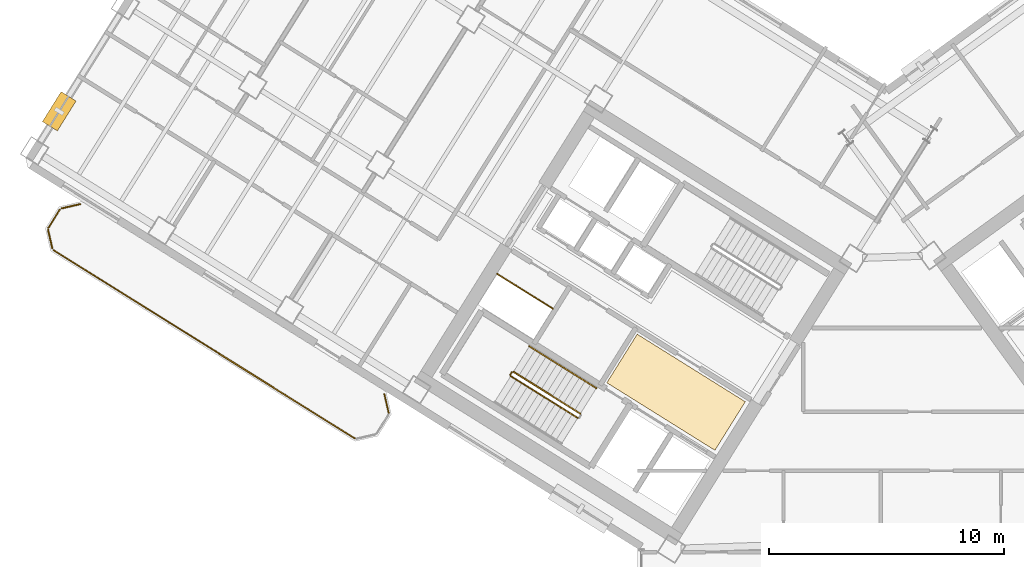
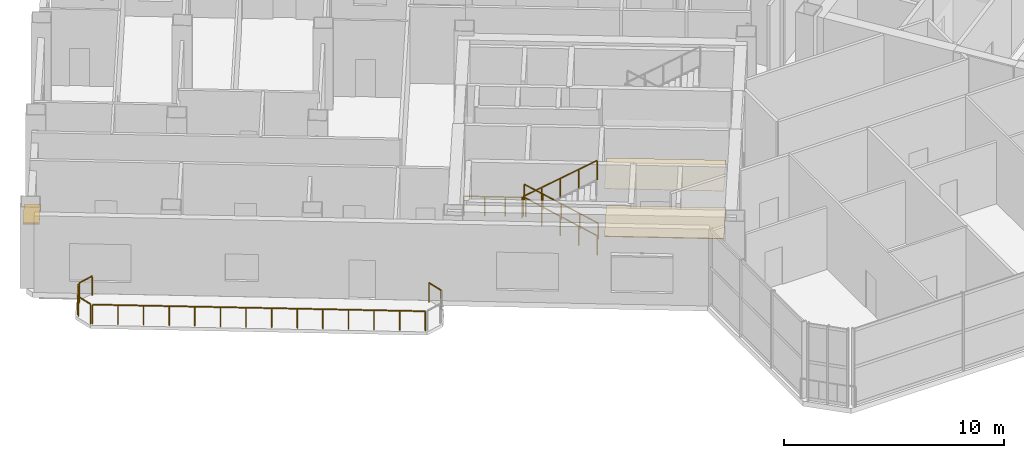
# One storey, part 18 of 21: 11 railings, 2 coverings, 1 shading device.
"""IFC4 building model written with IfcOpenShell, lengths in metres."""

import ifcopenshell
import ifcopenshell.guid

model = None  # the IFC model being written
_history = None  # IfcOwnerHistory: only IFC2X3 demands one
_inside = {}  # id of a spatial element -> (the spatial element, [elements in it])
_under = {}  # id of a project, library or spatial element -> (it, [spatial elements below it])
_declared = {}  # id of a project -> (the project, [libraries it declares])
_typed = {}  # id of a type object -> (the type object, [elements of that type])
_made_of = {}  # id of a material, layer set ... -> (it, [elements and type objects made of it])


def new_model(schema):
    """Start an empty IFC model of exactly this schema.

    Asked for "IFC4X3", IfcOpenShell would pick the latest addendum, in which some entities
    have other attributes; the version numbers below select the first issue.
    IFC2X3 requires an IfcOwnerHistory on every rooted entity: one is made here for all.
    """
    global model, _history
    if schema == "IFC4X3":
        model = ifcopenshell.file(schema_version=(4, 3, 0, 0))
    else:
        model = ifcopenshell.file(schema=schema)
    _inside.clear()
    _under.clear()
    _declared.clear()
    _typed.clear()
    _made_of.clear()
    _history = None
    if model.schema == "IFC2X3":
        org = make("IfcOrganization", Name="unknown")
        user = make(
            "IfcPersonAndOrganization",
            ThePerson=make("IfcPerson", FamilyName="unknown"),
            TheOrganization=org,
        )
        app = make(
            "IfcApplication",
            ApplicationDeveloper=org,
            Version="unknown",
            ApplicationFullName="unknown",
            ApplicationIdentifier="unknown",
        )
        _history = make(
            "IfcOwnerHistory",
            OwningUser=user,
            OwningApplication=app,
            ChangeAction="ADDED",
            CreationDate=0,
        )
    return model


def make(cls, **values):
    """One entity of the class cls with the attributes given. An attribute that is None is left unset."""
    return model.create_entity(
        cls, **{name: value for name, value in values.items() if value is not None}
    )


def rooted(cls, **values):
    """An entity with a GlobalId (a new one), such as an element, a storey or a relation."""
    return make(cls, GlobalId=ifcopenshell.guid.new(), OwnerHistory=_history, **values)


def si_unit(unit_type, name, prefix=None):
    """IfcSIUnit, for example si_unit("LENGTHUNIT", "METRE", prefix="MILLI")."""
    return make("IfcSIUnit", UnitType=unit_type, Prefix=prefix, Name=name)


def assignment(units):
    """IfcUnitAssignment: the units of a project."""
    return None if units is None else make("IfcUnitAssignment", Units=units)


def point(xyz):
    """IfcCartesianPoint."""
    return None if xyz is None else make("IfcCartesianPoint", Coordinates=xyz)


def direction(xyz):
    """IfcDirection."""
    return None if xyz is None else make("IfcDirection", DirectionRatios=xyz)


def frame(location, z_axis=None, x_axis=None):
    """IfcAxis2Placement3D, a coordinate frame: its origin and axes. An axis left out is left unset."""
    return make(
        "IfcAxis2Placement3D",
        Location=point(location),
        Axis=direction(z_axis),
        RefDirection=direction(x_axis),
    )


def frame_2d(location, x_axis=None):
    """IfcAxis2Placement2D, a coordinate frame in the plane: its origin and x axis."""
    return make(
        "IfcAxis2Placement2D", Location=point(location), RefDirection=direction(x_axis)
    )


def origin():
    """The frame at (0, 0, 0) with its axes left unset."""
    return frame((0.0, 0.0, 0.0))


def origin_2d():
    """The frame at (0, 0) in the plane with its x axis left unset."""
    return frame_2d((0.0, 0.0))


def place(relative_to, where):
    """IfcLocalPlacement: puts the frame where relative to a parent placement (None: the world)."""
    return make(
        "IfcLocalPlacement", PlacementRelTo=relative_to, RelativePlacement=where
    )


def context(
    kind, dimensions, precision=None, world=None, true_north=None, identifier=None
):
    """IfcGeometricRepresentationContext, for example the 3D "Model" context."""
    return make(
        "IfcGeometricRepresentationContext",
        ContextIdentifier=identifier,
        ContextType=kind,
        CoordinateSpaceDimension=dimensions,
        Precision=precision,
        WorldCoordinateSystem=world,
        TrueNorth=true_north,
    )


def subcontext(parent, identifier, kind, view, scale=None):
    """IfcGeometricRepresentationSubContext, for example "Body" below "Model"."""
    return make(
        "IfcGeometricRepresentationSubContext",
        ContextIdentifier=identifier,
        ContextType=kind,
        ParentContext=parent,
        TargetScale=scale,
        TargetView=view,
    )


def project(units=None, contexts=None):
    """IfcProject with its units and contexts."""
    return rooted(
        "IfcProject",
        Name="project",
        RepresentationContexts=contexts,
        UnitsInContext=assignment(units),
    )


def spatial(cls, under=None, at=None, **own):
    """A site, building, storey or space (cls), placed at a placement, below another one or the project."""
    s = rooted(cls, ObjectPlacement=at, **own)
    if under is not None:
        _under.setdefault(under.id(), (under, []))[1].append(s)
    return s


def polyline(points):
    """IfcPolyline through the points."""
    return make("IfcPolyline", Points=[point(p) for p in points])


def profile(cls, at=None, kind="AREA", **sizes):
    """A parametric profile (cls). Its sizes go by their IFC names, for example OverallWidth=200.0."""
    return make(cls, ProfileType=kind, Position=at, **sizes)


def rectangle(**sizes):
    """IfcRectangleProfileDef."""
    return profile("IfcRectangleProfileDef", **sizes)


def outline(outer, holes=None, kind="AREA"):
    """IfcArbitraryClosedProfileDef: a profile drawn as a closed curve; with holes, ...WithVoids."""
    if holes is None:
        return make("IfcArbitraryClosedProfileDef", ProfileType=kind, OuterCurve=outer)
    return make(
        "IfcArbitraryProfileDefWithVoids",
        ProfileType=kind,
        OuterCurve=outer,
        InnerCurves=holes,
    )


def extrude(swept, where, along, depth):
    """IfcExtrudedAreaSolid: the profile swept, set in the frame where, extruded along a direction by depth."""
    return make(
        "IfcExtrudedAreaSolid",
        SweptArea=swept,
        Position=where,
        ExtrudedDirection=direction(along),
        Depth=depth,
    )


def shape(context_of_items, identifier, shape_type, items):
    """IfcShapeRepresentation: the items that make up one representation, for example the "Body"."""
    return make(
        "IfcShapeRepresentation",
        ContextOfItems=context_of_items,
        RepresentationIdentifier=identifier,
        RepresentationType=shape_type,
        Items=items,
    )


def source(mapping_origin, context_of_items, identifier, shape_type, items):
    """IfcRepresentationMap: a shape defined once, which mapped items show again and again."""
    return make(
        "IfcRepresentationMap",
        MappingOrigin=mapping_origin,
        MappedRepresentation=shape(context_of_items, identifier, shape_type, items),
    )


def transform(
    local_origin,
    x_axis=None,
    y_axis=None,
    z_axis=None,
    scale=None,
    scale2=None,
    scale3=None,
    uniform=True,
):
    """IfcCartesianTransformationOperator3D, or its non-uniform kind. x_axis, y_axis, z_axis: its Axis1, 2, 3."""
    if uniform:
        return make(
            "IfcCartesianTransformationOperator3D",
            Axis1=direction(x_axis),
            Axis2=direction(y_axis),
            LocalOrigin=point(local_origin),
            Scale=scale,
            Axis3=direction(z_axis),
        )
    return make(
        "IfcCartesianTransformationOperator3DnonUniform",
        Axis1=direction(x_axis),
        Axis2=direction(y_axis),
        LocalOrigin=point(local_origin),
        Scale=scale,
        Axis3=direction(z_axis),
        Scale2=scale2,
        Scale3=scale3,
    )


def mapped(mapping_source, mapping_target):
    """IfcMappedItem: shows the shape of a source again, moved by a transform."""
    return make(
        "IfcMappedItem", MappingSource=mapping_source, MappingTarget=mapping_target
    )


def material(Name=None, Category=None):
    """IfcMaterial."""
    return make("IfcMaterial", Name=Name, Category=Category)


def layer(
    of_material, thickness, ventilated=None, Name=None, Category=None, Priority=None
):
    """IfcMaterialLayer: one layer of a wall or slab, of a material (None: an air gap)."""
    return make(
        "IfcMaterialLayer",
        Material=of_material,
        LayerThickness=thickness,
        IsVentilated=ventilated,
        Name=Name,
        Category=Category,
        Priority=Priority,
    )


def layer_set(layers, Name=None):
    """IfcMaterialLayerSet."""
    return make("IfcMaterialLayerSet", MaterialLayers=layers, LayerSetName=Name)


def made_of(thing, what):
    """Note that an element or type object is made of a material, layer set ...; save() writes the relation."""
    if what is not None:
        _made_of.setdefault(what.id(), (what, []))[1].append(thing)
    return thing


def type_object(cls, material=None, **own):
    """A type object (cls), such as IfcWallType, which elements share."""
    return made_of(rooted(cls, **own), material)


def element(
    cls,
    number,
    at=None,
    inside=None,
    cuts=None,
    type_object=None,
    material=None,
    context=None,
    identifier="Body",
    shape_type=None,
    held_by="IfcProductDefinitionShape",
    body=None,
    shapes=None,
    **own,
):
    """One element of the class cls, such as IfcWall. Its Tag is "e" and its number.

    at: its placement. inside: the storey or other place that contains it. cuts: it is an
    opening in that element (IfcRelVoidsElement). A single representation is given by context,
    identifier, shape_type and body (its items); several are given by shapes. held_by: the class
    of the entity that holds the representations. save() writes the other relations.
    """
    e = rooted(cls, Tag="e%d" % number, ObjectPlacement=at, **own)
    if body is not None:
        shapes = [shape(context, identifier, shape_type, body)]
    if shapes is not None:
        e.Representation = make(held_by, Representations=shapes)
    if inside is not None:
        _inside.setdefault(inside.id(), (inside, []))[1].append(e)
    if cuts is not None:
        rooted(
            "IfcRelVoidsElement", RelatingBuildingElement=cuts, RelatedOpeningElement=e
        )
    if type_object is not None:
        _typed.setdefault(type_object.id(), (type_object, []))[1].append(e)
    return made_of(e, material)


def aggregate(whole, parts):
    """IfcRelAggregates: a whole, such as a stair, and the parts it consists of."""
    return rooted("IfcRelAggregates", RelatingObject=whole, RelatedObjects=parts)


def save(model, path):
    """Write the relations noted so far, then the file.

    IfcRelAggregates (storeys below a building ...), IfcRelContainedInSpatialStructure (elements
    in a storey), IfcRelDefinesByType, IfcRelAssociatesMaterial and IfcRelDeclares: one each for
    every whole, place, type object, material and project.
    """
    for whole, parts in _under.values():
        aggregate(whole, parts)
    for where, things in _inside.values():
        rooted(
            "IfcRelContainedInSpatialStructure",
            RelatedElements=things,
            RelatingStructure=where,
        )
    for kind, things in _typed.values():
        rooted("IfcRelDefinesByType", RelatedObjects=things, RelatingType=kind)
    for what, things in _made_of.values():
        rooted("IfcRelAssociatesMaterial", RelatedObjects=things, RelatingMaterial=what)
    for by, libraries in _declared.values():
        rooted("IfcRelDeclares", RelatingContext=by, RelatedDefinitions=libraries)
    model.write(path)


model = new_model("IFC4")

# Units and contexts
model_context = context("Model", 3, precision=1e-05, world=origin(), true_north=direction((0.0, 1.0)))
body_context = subcontext(model_context, "Body", "Model", "MODEL_VIEW")
ifc_project = project(units=[si_unit("LENGTHUNIT", "METRE"), si_unit("AREAUNIT", "SQUARE_METRE"), si_unit("VOLUMEUNIT", "CUBIC_METRE"), si_unit("PLANEANGLEUNIT", "RADIAN"), si_unit("MASSUNIT", "GRAM", prefix="KILO")], contexts=[model_context])

# Site, building, storey
site_placement = place(None, origin())
site = spatial("IfcSite", under=ifc_project, at=site_placement, CompositionType="ELEMENT")
building_placement = place(site_placement, origin())
building = spatial("IfcBuilding", under=site, at=building_placement, Name="Tlacorven Tower", CompositionType="ELEMENT")
storey_placement = place(building_placement, frame((0.0, 0.0, 100.800048828125)))
storey = spatial("IfcBuildingStorey", under=building, at=storey_placement, Name="L25", CompositionType="ELEMENT", Elevation=100.800048828125)

# Coverings
ifc_material_1 = material(Name="Acoustic mineral-fibre ceiling")
ifc_layer_1 = layer(ifc_material_1, 0.02490234375)
ifc_layer_set_1 = layer_set([ifc_layer_1], Name="Acoustic mineral-fibre ceiling")
covering_type_1 = type_object("IfcCoveringType", Name="CV-CLG-ACST", PredefinedType="CEILING", material=ifc_layer_set_1)
covering_1_placement = place(storey_placement, frame((0.0, 0.0, 2.64990234375)))
element("IfcCovering", 1, at=covering_1_placement, inside=storey, type_object=covering_type_1, Name="L25 Acoustic Suspended Ceiling 1", PredefinedType="CEILING", context=body_context, shape_type="SweptSolid", body=[
    extrude(outline(polyline([(36.185302734375, 18.35595703125), (34.892333984375, 16.286865234375), (30.287353515625, 19.164306640625), (31.580322265625, 21.2333984375), (36.185302734375, 18.35595703125)])), origin(), (0.0, 0.0, 1.0), 0.025146484375),
])
ifc_material_2 = material(Name="Terrazzo and ceramic flooring")
ifc_layer_2 = layer(ifc_material_2, 0.0400390625)
ifc_layer_set_2 = layer_set([ifc_layer_2], Name="Terrazzo and ceramic flooring")
covering_type_2 = type_object("IfcCoveringType", Name="CV-FLR-TERZ", PredefinedType="FLOORING", material=ifc_layer_set_2)
covering_2_placement = place(storey_placement, origin())
element("IfcCovering", 2, at=covering_2_placement, inside=storey, type_object=covering_type_2, Name="L25 Terrazzo Floor Finish 1", PredefinedType="FLOORING", context=body_context, shape_type="SweptSolid", body=[
    extrude(outline(polyline([(36.185302734375, 18.35595703125), (34.892333984375, 16.286865234375), (30.287353515625, 19.164306640625), (31.580322265625, 21.2333984375), (36.185302734375, 18.35595703125)])), origin(), (0.0, 0.0, 1.0), 0.0400390625),
])

# Railings
ifc_material_3 = material(Name="Aluminium and painted steel balustrade", Category="steel")
railing_type_1 = type_object("IfcRailingType", Name="RL-GRD-1100", PredefinedType="GUARDRAIL", material=ifc_material_3)
shared_shape_1 = source(origin(), body_context, "Body", "SweptSolid", [
    extrude(rectangle(XDim=0.048095703125, YDim=0.048095703125, at=origin_2d()), frame((0.0, 0.0, 1.076171875), z_axis=(-0.848091358275, 0.529850024081, 0.0), x_axis=(-0.529850024081, -0.848091358275, 0.0)), (0.0, 0.0, 1.0), 2.800048828125),
    extrude(rectangle(XDim=0.0419921875, YDim=0.0419921875, at=origin_2d()), origin(), (0.0, 0.0, 1.0), 1.052001953125),
    extrude(rectangle(XDim=0.0419921875, YDim=0.0419921875, at=origin_2d()), frame((-0.79150390625, 0.49462890625, 0.0)), (0.0, 0.0, 1.0), 1.052001953125),
    extrude(rectangle(XDim=0.0419921875, YDim=0.0419921875, at=origin_2d()), frame((-1.583251953125, 0.989013671875, 0.0)), (0.0, 0.0, 1.0), 1.052001953125),
    extrude(rectangle(XDim=0.0419921875, YDim=0.0419921875, at=origin_2d()), frame((-2.374755859375, 1.483642578125, 0.0)), (0.0, 0.0, 1.0), 1.052001953125),
])
railing_1_placement = place(storey_placement, frame((27.9912109375, 22.32080078125, 0.0)))
element("IfcRailing", 3, at=railing_1_placement, inside=storey, type_object=railing_type_1, Name="L25 Electrical Riser W Shaft Guard 1", PredefinedType="GUARDRAIL", context=body_context, shape_type="MappedRepresentation", body=[
    mapped(shared_shape_1, transform((0.0, 0.0, 0.0), scale=1.0)),
])
railing_type_2 = type_object("IfcRailingType", Name="RL-BAL-1100", PredefinedType="BALUSTRADE", material=ifc_material_3)
shared_shape_2 = source(origin(), body_context, "Body", "SweptSolid", [
    extrude(rectangle(XDim=0.048095703125, YDim=0.048095703125, at=origin_2d()), frame((0.0, 0.0, 1.076171875), z_axis=(0.225058334816, -0.974345290916, 0.0), x_axis=(0.974345290916, 0.225058334816, 0.0)), (0.0, 0.0, 1.0), 0.80712890625),
    extrude(rectangle(XDim=0.0419921875, YDim=0.0419921875, at=origin_2d()), origin(), (0.0, 0.0, 1.0), 1.052001953125),
    extrude(rectangle(XDim=0.0419921875, YDim=0.0419921875, at=origin_2d()), frame((0.181640625, -0.786376953125, 0.0)), (0.0, 0.0, 1.0), 1.052001953125),
])
railing_2_placement = place(storey_placement, frame((20.809814453125, 18.671142578125, 0.0)))
element("IfcRailing", 4, at=railing_2_placement, inside=storey, type_object=railing_type_2, Name="BAL-L25-W-OUT Guard Railing 1", PredefinedType="BALUSTRADE", context=body_context, shape_type="MappedRepresentation", body=[
    mapped(shared_shape_2, transform((0.0, 0.0, 0.0), scale=1.0)),
])
shared_shape_3 = source(origin(), body_context, "Body", "SweptSolid", [
    extrude(rectangle(XDim=0.048095703125, YDim=0.048095703125, at=origin_2d()), frame((0.0, 0.0, 1.076171875), z_axis=(-0.225058334816, 0.974345290916, 0.0), x_axis=(-0.974345290916, -0.225058334816, 0.0)), (0.0, 0.0, 1.0), 0.80712890625),
    extrude(rectangle(XDim=0.0419921875, YDim=0.0419921875, at=origin_2d()), origin(), (0.0, 0.0, 1.0), 1.052001953125),
    extrude(rectangle(XDim=0.0419921875, YDim=0.0419921875, at=origin_2d()), frame((-0.181640625, 0.786376953125, 0.0)), (0.0, 0.0, 1.0), 1.052001953125),
])
railing_3_placement = place(storey_placement, frame((6.66650390625, 24.88623046875, 0.0)))
element("IfcRailing", 5, at=railing_3_placement, inside=storey, type_object=railing_type_2, Name="BAL-L25-W-OUT Guard Railing 5", PredefinedType="BALUSTRADE", context=body_context, shape_type="MappedRepresentation", body=[
    mapped(shared_shape_3, transform((0.0, 0.0, 0.0), scale=1.0)),
])
shared_shape_4 = source(origin(), body_context, "Body", "SweptSolid", [
    extrude(rectangle(XDim=0.048095703125, YDim=0.048095703125, at=origin_2d()), frame((0.0, 0.0, 1.076171875), z_axis=(0.974411586182, 0.224771129628, 0.0), x_axis=(-0.224771129628, 0.974411586182, 0.0)), (0.0, 0.0, 1.0), 0.80712890625),
    extrude(rectangle(XDim=0.0419921875, YDim=0.0419921875, at=origin_2d()), origin(), (0.0, 0.0, 1.0), 1.052001953125),
    extrude(rectangle(XDim=0.0419921875, YDim=0.0419921875, at=origin_2d()), frame((0.786376953125, 0.181396484375, 0.0)), (0.0, 0.0, 1.0), 1.052001953125),
])
railing_4_placement = place(storey_placement, frame((7.05859375, 26.591064453125, 0.0)))
element("IfcRailing", 6, at=railing_4_placement, inside=storey, type_object=railing_type_2, Name="BAL-L25-W-OUT Guard Railing 7", PredefinedType="BALUSTRADE", context=body_context, shape_type="MappedRepresentation", body=[
    mapped(shared_shape_4, transform((0.0, 0.0, 0.0), scale=1.0)),
])
shared_shape_5 = source(origin(), body_context, "Body", "SweptSolid", [
    extrude(rectangle(XDim=0.048095703125, YDim=0.048095703125, at=origin_2d()), frame((0.0, 0.0, 1.076171875), z_axis=(0.529998940003, 0.847998304005, 0.0), x_axis=(-0.847998304005, 0.529998940003, 0.0)), (0.0, 0.0, 1.0), 0.912109375),
    extrude(rectangle(XDim=0.0419921875, YDim=0.0419921875, at=origin_2d()), origin(), (0.0, 0.0, 1.0), 1.052001953125),
    extrude(rectangle(XDim=0.0419921875, YDim=0.0419921875, at=origin_2d()), frame((0.4833984375, 0.7734375, 0.0)), (0.0, 0.0, 1.0), 1.052001953125),
])
railing_5_placement = place(storey_placement, frame((6.5, 25.763916015625, 0.0)))
element("IfcRailing", 7, at=railing_5_placement, inside=storey, type_object=railing_type_2, Name="BAL-L25-W-OUT Guard Railing 6", PredefinedType="BALUSTRADE", context=body_context, shape_type="MappedRepresentation", body=[
    mapped(shared_shape_5, transform((0.0, 0.0, 0.0), scale=1.0)),
])
shared_shape_6 = source(origin(), body_context, "Body", "SweptSolid", [
    extrude(rectangle(XDim=0.048095703125, YDim=0.048095703125, at=origin_2d()), frame((0.0, 0.0, 1.076171875), z_axis=(-0.848051830527, 0.529913287944, 0.0), x_axis=(-0.529913287944, -0.848051830527, 0.0)), (0.0, 0.0, 1.0), 15.1171875),
    extrude(rectangle(XDim=0.0419921875, YDim=0.0419921875, at=origin_2d()), origin(), (0.0, 0.0, 1.0), 1.052001953125),
    extrude(rectangle(XDim=0.0419921875, YDim=0.0419921875, at=origin_2d()), frame((-0.986083984375, 0.6162109375, 0.0)), (0.0, 0.0, 1.0), 1.052001953125),
    extrude(rectangle(XDim=0.0419921875, YDim=0.0419921875, at=origin_2d()), frame((-1.972412109375, 1.232421875, 0.0)), (0.0, 0.0, 1.0), 1.052001953125),
    extrude(rectangle(XDim=0.0419921875, YDim=0.0419921875, at=origin_2d()), frame((-2.95849609375, 1.8486328125, 0.0)), (0.0, 0.0, 1.0), 1.052001953125),
    extrude(rectangle(XDim=0.0419921875, YDim=0.0419921875, at=origin_2d()), frame((-3.944580078125, 2.46484375, 0.0)), (0.0, 0.0, 1.0), 1.052001953125),
    extrude(rectangle(XDim=0.0419921875, YDim=0.0419921875, at=origin_2d()), frame((-4.930908203125, 3.0810546875, 0.0)), (0.0, 0.0, 1.0), 1.052001953125),
    extrude(rectangle(XDim=0.0419921875, YDim=0.0419921875, at=origin_2d()), frame((-5.9169921875, 3.697265625, 0.0)), (0.0, 0.0, 1.0), 1.052001953125),
    extrude(rectangle(XDim=0.0419921875, YDim=0.0419921875, at=origin_2d()), frame((-6.903076171875, 4.3134765625, 0.0)), (0.0, 0.0, 1.0), 1.052001953125),
    extrude(rectangle(XDim=0.0419921875, YDim=0.0419921875, at=origin_2d()), frame((-7.88916015625, 4.9296875, 0.0)), (0.0, 0.0, 1.0), 1.052001953125),
    extrude(rectangle(XDim=0.0419921875, YDim=0.0419921875, at=origin_2d()), frame((-8.87548828125, 5.5458984375, 0.0)), (0.0, 0.0, 1.0), 1.052001953125),
    extrude(rectangle(XDim=0.0419921875, YDim=0.0419921875, at=origin_2d()), frame((-9.861572265625, 6.162109375, 0.0)), (0.0, 0.0, 1.0), 1.052001953125),
    extrude(rectangle(XDim=0.0419921875, YDim=0.0419921875, at=origin_2d()), frame((-10.84765625, 6.7783203125, 0.0)), (0.0, 0.0, 1.0), 1.052001953125),
    extrude(rectangle(XDim=0.0419921875, YDim=0.0419921875, at=origin_2d()), frame((-11.833984375, 7.39453125, 0.0)), (0.0, 0.0, 1.0), 1.052001953125),
    extrude(rectangle(XDim=0.0419921875, YDim=0.0419921875, at=origin_2d()), frame((-12.820068359375, 8.0107421875, 0.0)), (0.0, 0.0, 1.0), 1.052001953125),
])
railing_6_placement = place(storey_placement, frame((19.5400390625, 16.80029296875, 0.0)))
element("IfcRailing", 8, at=railing_6_placement, inside=storey, type_object=railing_type_2, Name="BAL-L25-W-OUT Guard Railing 4", PredefinedType="BALUSTRADE", context=body_context, shape_type="MappedRepresentation", body=[
    mapped(shared_shape_6, transform((0.0, 0.0, 0.0), scale=1.0)),
])

# Shading device
ifc_material_4 = material(Name="Anodised bronze aluminium sunshade", Category="aluminium")
ifc_layer_3 = layer(ifc_material_4, 0.080078125)
ifc_layer_set_3 = layer_set([ifc_layer_3], Name="Anodised bronze aluminium sunshade")
shading_device_type = type_object("IfcShadingDeviceType", Name="SH-SUN-BRZ", PredefinedType="AWNING", material=ifc_layer_set_3)
shared_shape_7 = source(origin(), body_context, "Body", "SweptSolid", [
    extrude(rectangle(XDim=1.5, YDim=0.75, at=origin_2d()), origin(), (0.0, 0.0, 1.0), 0.080078125),
])
shading_device_placement = place(storey_placement, frame((6.96044921875, 30.7275390625, 2.369873046875), z_axis=(0.0, 0.0, 1.0), x_axis=(0.529919147866, 0.848048168871, 0.0)))
element("IfcShadingDevice", 9, at=shading_device_placement, inside=storey, type_object=shading_device_type, Name="L25 Solar Brise-Soleil Sunshade L25-02.1", PredefinedType="AWNING", context=body_context, shape_type="MappedRepresentation", body=[
    mapped(shared_shape_7, transform((0.0, 0.0, 0.0), scale=1.0)),
])

# Railings
shared_shape_8 = source(origin(), body_context, "Body", "SweptSolid", [
    extrude(rectangle(XDim=0.048095703125, YDim=0.048095703125, at=origin_2d()), frame((0.0, 0.0, 1.076171875), z_axis=(-0.530546985787, -0.847655529016, 0.0), x_axis=(0.847655529016, -0.530546985787, 0.0)), (0.0, 0.0, 1.0), 0.1201171875),
    extrude(rectangle(XDim=0.0419921875, YDim=0.0419921875, at=origin_2d()), origin(), (0.0, 0.0, 1.0), 1.052001953125),
    extrude(rectangle(XDim=0.0419921875, YDim=0.0419921875, at=origin_2d()), frame((-0.063720703125, -0.101806640625, 0.0)), (0.0, 0.0, 1.0), 1.052001953125),
])
railing_7_placement = place(storey_placement, frame((26.242431640625, 19.616455078125, 2.25)))
element("IfcRailing", 10, at=railing_7_placement, inside=storey, type_object=railing_type_1, Name="L25 ST-W1 stair guard 2", PredefinedType="GUARDRAIL", context=body_context, shape_type="MappedRepresentation", body=[
    mapped(shared_shape_8, transform((0.0, 0.0, 0.0), scale=1.0)),
])
shared_shape_9 = source(origin(), body_context, "Body", "SweptSolid", [
    extrude(rectangle(XDim=0.048095703125, YDim=0.048095703125, at=origin_2d()), frame((0.0, 0.0, 1.076171875), z_axis=(-0.721354668439, 0.45076168254, 0.525795918465), x_axis=(-0.529927092104, -0.84804320471, 0.0)), (0.0, 0.0, 1.0), 3.949951171875),
    extrude(rectangle(XDim=0.0419921875, YDim=0.0419921875, at=origin_2d()), origin(), (0.0, 0.0, 1.0), 1.052001953125),
    extrude(rectangle(XDim=0.0419921875, YDim=0.0419921875, at=origin_2d()), frame((-0.71240234375, 0.445068359375, 0.519287109375)), (0.0, 0.0, 1.0), 1.052001953125),
    extrude(rectangle(XDim=0.0419921875, YDim=0.0419921875, at=origin_2d()), frame((-1.4248046875, 0.89013671875, 1.03857421875)), (0.0, 0.0, 1.0), 1.052001953125),
    extrude(rectangle(XDim=0.0419921875, YDim=0.0419921875, at=origin_2d()), frame((-2.136962890625, 1.33544921875, 1.5576171875)), (0.0, 0.0, 1.0), 1.052001953125),
    extrude(rectangle(XDim=0.0419921875, YDim=0.0419921875, at=origin_2d()), frame((-2.849365234375, 1.780517578125, 2.076904296875)), (0.0, 0.0, 1.0), 1.052001953125),
])
railing_8_placement = place(storey_placement, frame((29.16064453125, 17.851806640625, 0.173095703125)))
element("IfcRailing", 11, at=railing_8_placement, inside=storey, type_object=railing_type_1, Name="L25 ST-W1 stair guard 1", PredefinedType="GUARDRAIL", context=body_context, shape_type="MappedRepresentation", body=[
    mapped(shared_shape_9, transform((0.0, 0.0, 0.0), scale=1.0)),
])
shared_shape_10 = source(origin(), body_context, "Body", "SweptSolid", [
    extrude(rectangle(XDim=0.048095703125, YDim=0.048095703125, at=origin_2d()), frame((0.0, 0.0, 1.076171875), z_axis=(0.721384312238, -0.450741585774, 0.525772476372), x_axis=(0.52989443915, 0.848063608085, 0.0)), (0.0, 0.0, 1.0), 3.9501953125),
    extrude(rectangle(XDim=0.0419921875, YDim=0.0419921875, at=origin_2d()), origin(), (0.0, 0.0, 1.0), 1.052001953125),
    extrude(rectangle(XDim=0.0419921875, YDim=0.0419921875, at=origin_2d()), frame((0.71240234375, -0.445068359375, 0.519287109375)), (0.0, 0.0, 1.0), 1.052001953125),
    extrude(rectangle(XDim=0.0419921875, YDim=0.0419921875, at=origin_2d()), frame((1.4248046875, -0.89013671875, 1.03857421875)), (0.0, 0.0, 1.0), 1.052001953125),
    extrude(rectangle(XDim=0.0419921875, YDim=0.0419921875, at=origin_2d()), frame((2.13720703125, -1.33544921875, 1.5576171875)), (0.0, 0.0, 1.0), 1.052001953125),
    extrude(rectangle(XDim=0.0419921875, YDim=0.0419921875, at=origin_2d()), frame((2.849609375, -1.780517578125, 2.076904296875)), (0.0, 0.0, 1.0), 1.052001953125),
])
railing_9_placement = place(storey_placement, frame((26.194580078125, 19.44580078125, 2.423095703125)))
element("IfcRailing", 12, at=railing_9_placement, inside=storey, type_object=railing_type_1, Name="L25 ST-W1 stair guard 3", PredefinedType="GUARDRAIL", context=body_context, shape_type="MappedRepresentation", body=[
    mapped(shared_shape_10, transform((0.0, 0.0, 0.0), scale=1.0)),
])
railing_type_3 = type_object("IfcRailingType", Name="RL-HND-0900", PredefinedType="HANDRAIL", material=ifc_material_3)
shared_shape_11 = source(origin(), body_context, "Body", "SweptSolid", [
    extrude(rectangle(XDim=0.048095703125, YDim=0.048095703125, at=origin_2d()), frame((0.0, 0.0, 0.8759765625), z_axis=(-0.721387654753, 0.450805479247, 0.525713107551), x_axis=(-0.529946692594, -0.848030956397, 0.0)), (0.0, 0.0, 1.0), 1.97509765625),
    extrude(rectangle(XDim=0.0419921875, YDim=0.0419921875, at=origin_2d()), origin(), (0.0, 0.0, 1.0), 0.851806640625),
    extrude(rectangle(XDim=0.0419921875, YDim=0.0419921875, at=origin_2d()), frame((-0.71240234375, 0.4453125, 0.51904296875)), (0.0, 0.0, 1.0), 0.851806640625),
    extrude(rectangle(XDim=0.0419921875, YDim=0.0419921875, at=origin_2d()), frame((-1.4248046875, 0.890380859375, 1.038330078125)), (0.0, 0.0, 1.0), 0.851806640625),
])
railing_10_placement = place(storey_placement, frame((29.839111328125, 18.937255859375, 0.173095703125)))
element("IfcRailing", 13, at=railing_10_placement, inside=storey, type_object=railing_type_3, Name="L25 ST-W1 stair handrail 1", PredefinedType="HANDRAIL", context=body_context, shape_type="MappedRepresentation", body=[
    mapped(shared_shape_11, transform((0.0, 0.0, 0.0), scale=1.0)),
])
shared_shape_12 = source(origin(), body_context, "Body", "SweptSolid", [
    extrude(rectangle(XDim=0.048095703125, YDim=0.048095703125, at=origin_2d()), frame((0.0, 0.0, 0.8759765625), z_axis=(-0.721380964259, 0.45067768946, 0.525831840637), x_axis=(-0.52984217967, -0.848096259066, 0.0)), (0.0, 0.0, 1.0), 1.97509765625),
    extrude(rectangle(XDim=0.0419921875, YDim=0.0419921875, at=origin_2d()), origin(), (0.0, 0.0, 1.0), 0.851806640625),
    extrude(rectangle(XDim=0.0419921875, YDim=0.0419921875, at=origin_2d()), frame((-0.71240234375, 0.445068359375, 0.519287109375)), (0.0, 0.0, 1.0), 0.851806640625),
    extrude(rectangle(XDim=0.0419921875, YDim=0.0419921875, at=origin_2d()), frame((-1.4248046875, 0.89013671875, 1.03857421875)), (0.0, 0.0, 1.0), 0.851806640625),
])
railing_11_placement = place(storey_placement, frame((28.414306640625, 19.82763671875, 1.21142578125)))
element("IfcRailing", 14, at=railing_11_placement, inside=storey, type_object=railing_type_3, Name="L25 ST-W1 stair handrail 2", PredefinedType="HANDRAIL", context=body_context, shape_type="MappedRepresentation", body=[
    mapped(shared_shape_12, transform((0.0, 0.0, 0.0), scale=1.0)),
])

save(model, "model.ifc")
